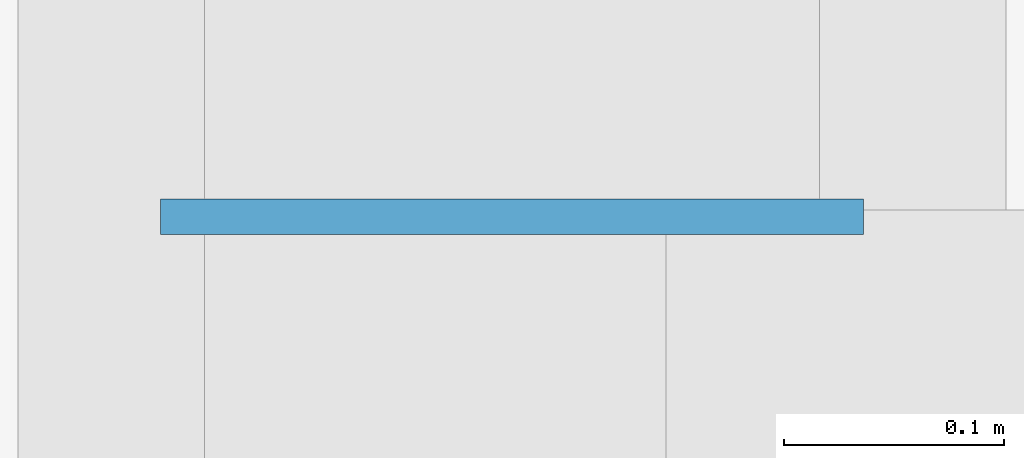
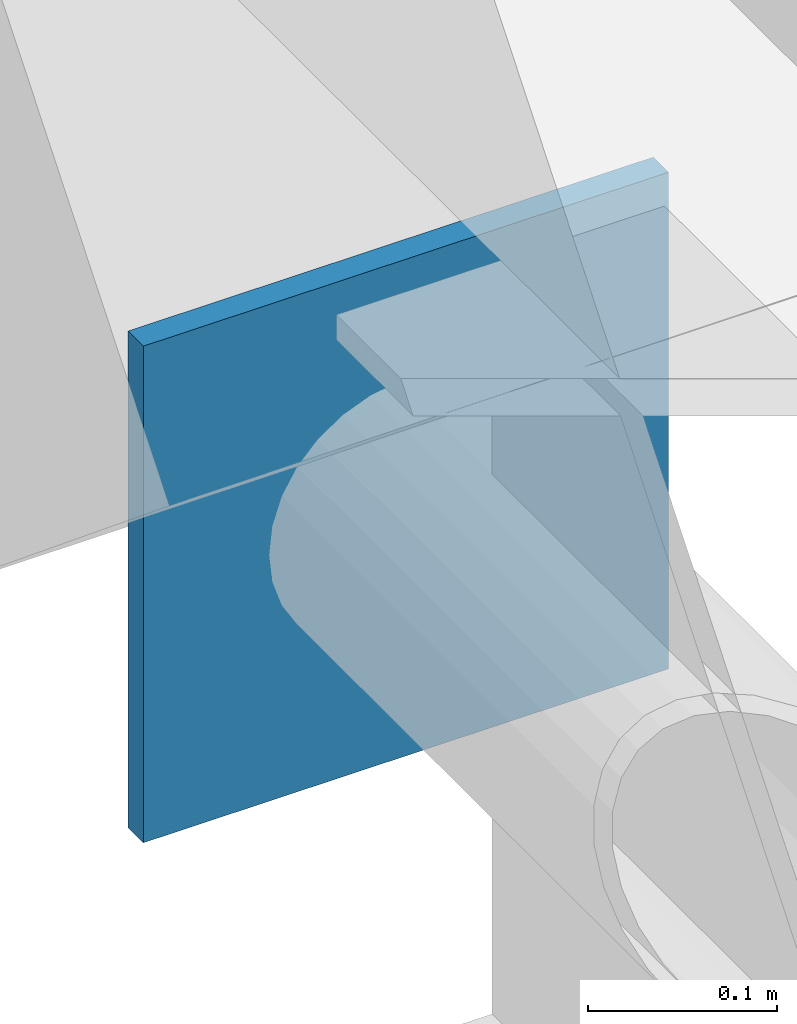
# One storey, part 46 of 71: 1 plate.
"""IFC4 building model written with IfcOpenShell, lengths in metres."""

from ifc_helpers import new_model, si_unit, direction, frame, origin, origin_2d, place, context, subcontext, project, spatial, rectangle, extrude, material, layer, layer_set, type_object, element, save


model = new_model("IFC4")

# Units and contexts
model_context = context("Model", 3, precision=1e-05, world=origin(), true_north=direction((0.0, 1.0)))
body_context = subcontext(model_context, "Body", "Model", "MODEL_VIEW")
ifc_project = project(units=[si_unit("LENGTHUNIT", "METRE"), si_unit("AREAUNIT", "SQUARE_METRE"), si_unit("VOLUMEUNIT", "CUBIC_METRE"), si_unit("PLANEANGLEUNIT", "RADIAN"), si_unit("MASSUNIT", "GRAM", prefix="KILO")], contexts=[model_context])

# Site, building, storey
site_placement = place(None, origin())
site = spatial("IfcSite", under=ifc_project, at=site_placement, CompositionType="ELEMENT")
building_placement = place(site_placement, origin())
building = spatial("IfcBuilding", under=site, at=building_placement, Name="Sardonyx Promenade Sports Hall", CompositionType="ELEMENT")
storey_placement = place(building_placement, frame((0.0, 0.0, 16.0)))
storey = spatial("IfcBuildingStorey", under=building, at=storey_placement, Name="L03", CompositionType="ELEMENT", Elevation=16.0)

# Plate
ifc_material = material(Name="Steel S355JR", Category="steel")
ifc_layer = layer(ifc_material, 0.01611328125)
ifc_layer_set = layer_set([ifc_layer], Name="Plt_EndCap_EC2")
plate_type = type_object("IfcPlateType", Name="Plt_EndCap_EC2", PredefinedType="USERDEFINED", material=ifc_layer_set)
plate_placement = place(storey_placement, frame((158.39990234375, 78.85791015625, -0.60986328125), z_axis=(0.0, 0.0, 1.0), x_axis=(1.0, 0.0, 0.0)))
element("IfcPlate", 1, at=plate_placement, inside=storey, type_object=plate_type, Name="Tie-rod end-cap plate V2 23 N", ObjectType="END CAP PLATE", PredefinedType="USERDEFINED", context=body_context, shape_type="SweptSolid", body=[
    extrude(rectangle(XDim=0.320068359375, YDim=0.01611328125, at=origin_2d()), origin(), (0.0, 0.0, 1.0), 0.320068359375),
])

save(model, "model.ifc")
